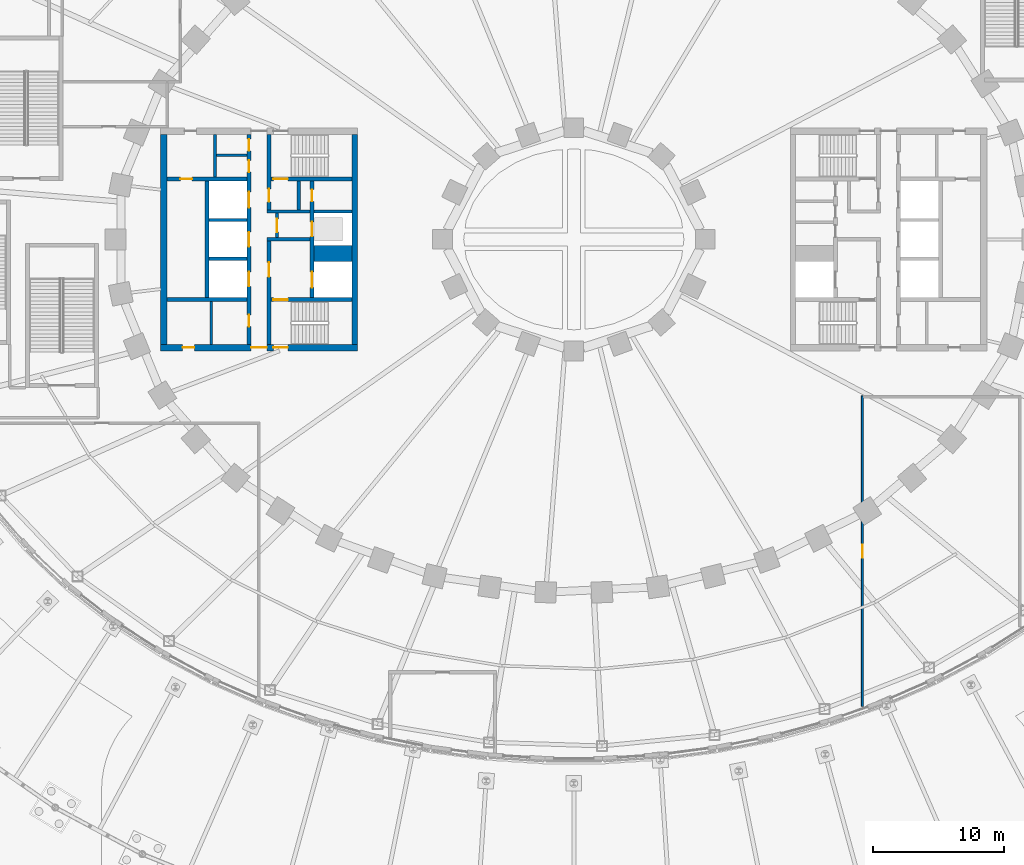
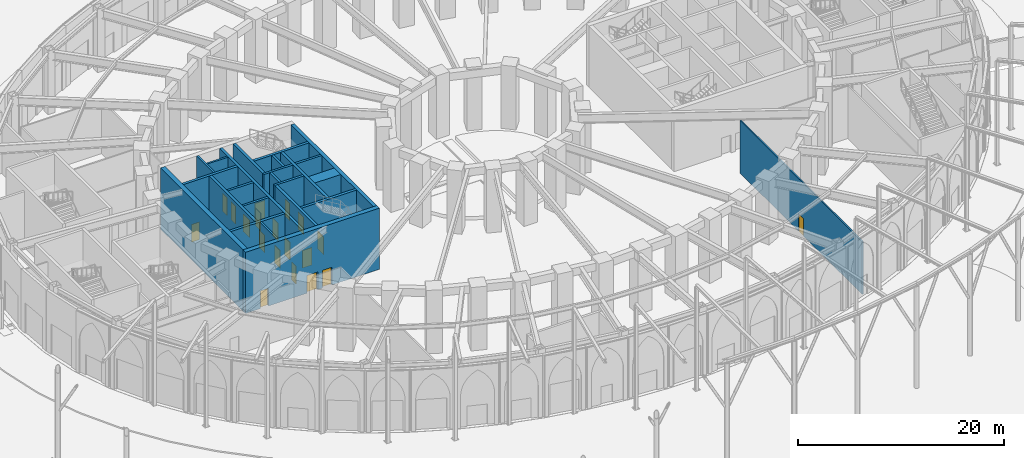
# One storey, part 45 of 79: 24 walls, 19 doors, 19 openings.
"""IFC4 building model written with IfcOpenShell, lengths in metres."""

import ifcopenshell
import ifcopenshell.guid

model = None  # the IFC model being written
_history = None  # IfcOwnerHistory: only IFC2X3 demands one
_inside = {}  # id of a spatial element -> (the spatial element, [elements in it])
_under = {}  # id of a project, library or spatial element -> (it, [spatial elements below it])
_declared = {}  # id of a project -> (the project, [libraries it declares])
_typed = {}  # id of a type object -> (the type object, [elements of that type])
_made_of = {}  # id of a material, layer set ... -> (it, [elements and type objects made of it])


def new_model(schema):
    """Start an empty IFC model of exactly this schema.

    Asked for "IFC4X3", IfcOpenShell would pick the latest addendum, in which some entities
    have other attributes; the version numbers below select the first issue.
    IFC2X3 requires an IfcOwnerHistory on every rooted entity: one is made here for all.
    """
    global model, _history
    if schema == "IFC4X3":
        model = ifcopenshell.file(schema_version=(4, 3, 0, 0))
    else:
        model = ifcopenshell.file(schema=schema)
    _inside.clear()
    _under.clear()
    _declared.clear()
    _typed.clear()
    _made_of.clear()
    _history = None
    if model.schema == "IFC2X3":
        org = make("IfcOrganization", Name="unknown")
        user = make(
            "IfcPersonAndOrganization",
            ThePerson=make("IfcPerson", FamilyName="unknown"),
            TheOrganization=org,
        )
        app = make(
            "IfcApplication",
            ApplicationDeveloper=org,
            Version="unknown",
            ApplicationFullName="unknown",
            ApplicationIdentifier="unknown",
        )
        _history = make(
            "IfcOwnerHistory",
            OwningUser=user,
            OwningApplication=app,
            ChangeAction="ADDED",
            CreationDate=0,
        )
    return model


def make(cls, **values):
    """One entity of the class cls with the attributes given. An attribute that is None is left unset."""
    return model.create_entity(
        cls, **{name: value for name, value in values.items() if value is not None}
    )


def rooted(cls, **values):
    """An entity with a GlobalId (a new one), such as an element, a storey or a relation."""
    return make(cls, GlobalId=ifcopenshell.guid.new(), OwnerHistory=_history, **values)


def si_unit(unit_type, name, prefix=None):
    """IfcSIUnit, for example si_unit("LENGTHUNIT", "METRE", prefix="MILLI")."""
    return make("IfcSIUnit", UnitType=unit_type, Prefix=prefix, Name=name)


def assignment(units):
    """IfcUnitAssignment: the units of a project."""
    return None if units is None else make("IfcUnitAssignment", Units=units)


def point(xyz):
    """IfcCartesianPoint."""
    return None if xyz is None else make("IfcCartesianPoint", Coordinates=xyz)


def direction(xyz):
    """IfcDirection."""
    return None if xyz is None else make("IfcDirection", DirectionRatios=xyz)


def frame(location, z_axis=None, x_axis=None):
    """IfcAxis2Placement3D, a coordinate frame: its origin and axes. An axis left out is left unset."""
    return make(
        "IfcAxis2Placement3D",
        Location=point(location),
        Axis=direction(z_axis),
        RefDirection=direction(x_axis),
    )


def frame_2d(location, x_axis=None):
    """IfcAxis2Placement2D, a coordinate frame in the plane: its origin and x axis."""
    return make(
        "IfcAxis2Placement2D", Location=point(location), RefDirection=direction(x_axis)
    )


def origin():
    """The frame at (0, 0, 0) with its axes left unset."""
    return frame((0.0, 0.0, 0.0))


def place(relative_to, where):
    """IfcLocalPlacement: puts the frame where relative to a parent placement (None: the world)."""
    return make(
        "IfcLocalPlacement", PlacementRelTo=relative_to, RelativePlacement=where
    )


def context(
    kind, dimensions, precision=None, world=None, true_north=None, identifier=None
):
    """IfcGeometricRepresentationContext, for example the 3D "Model" context."""
    return make(
        "IfcGeometricRepresentationContext",
        ContextIdentifier=identifier,
        ContextType=kind,
        CoordinateSpaceDimension=dimensions,
        Precision=precision,
        WorldCoordinateSystem=world,
        TrueNorth=true_north,
    )


def subcontext(parent, identifier, kind, view, scale=None):
    """IfcGeometricRepresentationSubContext, for example "Body" below "Model"."""
    return make(
        "IfcGeometricRepresentationSubContext",
        ContextIdentifier=identifier,
        ContextType=kind,
        ParentContext=parent,
        TargetScale=scale,
        TargetView=view,
    )


def project(units=None, contexts=None):
    """IfcProject with its units and contexts."""
    return rooted(
        "IfcProject",
        Name="project",
        RepresentationContexts=contexts,
        UnitsInContext=assignment(units),
    )


def spatial(cls, under=None, at=None, **own):
    """A site, building, storey or space (cls), placed at a placement, below another one or the project."""
    s = rooted(cls, ObjectPlacement=at, **own)
    if under is not None:
        _under.setdefault(under.id(), (under, []))[1].append(s)
    return s


def profile(cls, at=None, kind="AREA", **sizes):
    """A parametric profile (cls). Its sizes go by their IFC names, for example OverallWidth=200.0."""
    return make(cls, ProfileType=kind, Position=at, **sizes)


def rectangle(**sizes):
    """IfcRectangleProfileDef."""
    return profile("IfcRectangleProfileDef", **sizes)


def extrude(swept, where, along, depth):
    """IfcExtrudedAreaSolid: the profile swept, set in the frame where, extruded along a direction by depth."""
    return make(
        "IfcExtrudedAreaSolid",
        SweptArea=swept,
        Position=where,
        ExtrudedDirection=direction(along),
        Depth=depth,
    )


def shape(context_of_items, identifier, shape_type, items):
    """IfcShapeRepresentation: the items that make up one representation, for example the "Body"."""
    return make(
        "IfcShapeRepresentation",
        ContextOfItems=context_of_items,
        RepresentationIdentifier=identifier,
        RepresentationType=shape_type,
        Items=items,
    )


def material(Name=None, Category=None):
    """IfcMaterial."""
    return make("IfcMaterial", Name=Name, Category=Category)


def layer(
    of_material, thickness, ventilated=None, Name=None, Category=None, Priority=None
):
    """IfcMaterialLayer: one layer of a wall or slab, of a material (None: an air gap)."""
    return make(
        "IfcMaterialLayer",
        Material=of_material,
        LayerThickness=thickness,
        IsVentilated=ventilated,
        Name=Name,
        Category=Category,
        Priority=Priority,
    )


def layer_set(layers, Name=None):
    """IfcMaterialLayerSet."""
    return make("IfcMaterialLayerSet", MaterialLayers=layers, LayerSetName=Name)


def made_of(thing, what):
    """Note that an element or type object is made of a material, layer set ...; save() writes the relation."""
    if what is not None:
        _made_of.setdefault(what.id(), (what, []))[1].append(thing)
    return thing


def type_object(cls, material=None, **own):
    """A type object (cls), such as IfcWallType, which elements share."""
    return made_of(rooted(cls, **own), material)


def element(
    cls,
    number,
    at=None,
    inside=None,
    cuts=None,
    type_object=None,
    material=None,
    context=None,
    identifier="Body",
    shape_type=None,
    held_by="IfcProductDefinitionShape",
    body=None,
    shapes=None,
    **own,
):
    """One element of the class cls, such as IfcWall. Its Tag is "e" and its number.

    at: its placement. inside: the storey or other place that contains it. cuts: it is an
    opening in that element (IfcRelVoidsElement). A single representation is given by context,
    identifier, shape_type and body (its items); several are given by shapes. held_by: the class
    of the entity that holds the representations. save() writes the other relations.
    """
    e = rooted(cls, Tag="e%d" % number, ObjectPlacement=at, **own)
    if body is not None:
        shapes = [shape(context, identifier, shape_type, body)]
    if shapes is not None:
        e.Representation = make(held_by, Representations=shapes)
    if inside is not None:
        _inside.setdefault(inside.id(), (inside, []))[1].append(e)
    if cuts is not None:
        rooted(
            "IfcRelVoidsElement", RelatingBuildingElement=cuts, RelatedOpeningElement=e
        )
    if type_object is not None:
        _typed.setdefault(type_object.id(), (type_object, []))[1].append(e)
    return made_of(e, material)


def fill(opening, filler):
    """IfcRelFillsElement: the door or window that sits in an opening."""
    return rooted(
        "IfcRelFillsElement",
        RelatingOpeningElement=opening,
        RelatedBuildingElement=filler,
    )


def aggregate(whole, parts):
    """IfcRelAggregates: a whole, such as a stair, and the parts it consists of."""
    return rooted("IfcRelAggregates", RelatingObject=whole, RelatedObjects=parts)


def save(model, path):
    """Write the relations noted so far, then the file.

    IfcRelAggregates (storeys below a building ...), IfcRelContainedInSpatialStructure (elements
    in a storey), IfcRelDefinesByType, IfcRelAssociatesMaterial and IfcRelDeclares: one each for
    every whole, place, type object, material and project.
    """
    for whole, parts in _under.values():
        aggregate(whole, parts)
    for where, things in _inside.values():
        rooted(
            "IfcRelContainedInSpatialStructure",
            RelatedElements=things,
            RelatingStructure=where,
        )
    for kind, things in _typed.values():
        rooted("IfcRelDefinesByType", RelatedObjects=things, RelatingType=kind)
    for what, things in _made_of.values():
        rooted("IfcRelAssociatesMaterial", RelatedObjects=things, RelatingMaterial=what)
    for by, libraries in _declared.values():
        rooted("IfcRelDeclares", RelatingContext=by, RelatedDefinitions=libraries)
    model.write(path)


model = new_model("IFC4")

# Units and contexts
model_context = context("Model", 3, precision=1e-05, world=origin(), true_north=direction((0.0, 1.0)))
body_context = subcontext(model_context, "Body", "Model", "MODEL_VIEW")
ifc_project = project(units=[si_unit("LENGTHUNIT", "METRE"), si_unit("AREAUNIT", "SQUARE_METRE"), si_unit("VOLUMEUNIT", "CUBIC_METRE"), si_unit("PLANEANGLEUNIT", "RADIAN"), si_unit("MASSUNIT", "GRAM", prefix="KILO")], contexts=[model_context])

# Site, building, storey
site_placement = place(None, origin())
site = spatial("IfcSite", under=ifc_project, at=site_placement, CompositionType="ELEMENT")
building_placement = place(site_placement, origin())
building = spatial("IfcBuilding", under=site, at=building_placement, Name="Noorbagh Ring Tower", CompositionType="ELEMENT")
storey_placement = place(building_placement, origin())
storey = spatial("IfcBuildingStorey", under=building, at=storey_placement, Name="L00", CompositionType="ELEMENT", Elevation=0.0)

# Walls
ifc_material_1 = material(Name="Gypsum board on steel studs", Category="steel")
ifc_layer_1 = layer(ifc_material_1, 0.199951171875)
ifc_layer_set_1 = layer_set([ifc_layer_1], Name="Gypsum board on steel studs")
wall_type_1 = type_object("IfcWallType", Name="CORE-PARTITION-200", PredefinedType="PARTITIONING", material=ifc_layer_set_1)
for number, where, z_axis, x_axis, name in (
    (1, (-27.35009765625, 4.75, 0.0), (0.0, 0.0, 1.0), (0.0, 1.0, 0.0), "Core partition W"),
    (2, (-27.64990234375, -8.0, 0.0), (0.0, 0.0, 1.0), (0.0, 1.0, 0.0), "Core partition W"),
):
    element("IfcWall", number, at=place(storey_placement, frame(where, z_axis=z_axis, x_axis=x_axis)), inside=storey, type_object=wall_type_1, Name=name, PredefinedType="PARTITIONING", context=body_context, shape_type="SweptSolid", body=[
        extrude(rectangle(XDim=3.25, YDim=0.199951171875, at=frame_2d((1.625, 0.0))), origin(), (0.0, 0.0, 1.0), 7.25),
    ])
wall_1_placement = place(storey_placement, frame((-24.89990234375, 6.39990234375, 0.0), z_axis=(0.0, 0.0, 1.0), x_axis=(-1.0, 0.0, 0.0)))
element("IfcWall", 3, at=wall_1_placement, inside=storey, type_object=wall_type_1, Name="Core partition W", PredefinedType="PARTITIONING", context=body_context, shape_type="SweptSolid", body=[
    extrude(rectangle(XDim=2.35009765625, YDim=0.199951171875, at=frame_2d((1.175048828125, 0.0))), origin(), (0.0, 0.0, 1.0), 7.25),
])
ifc_material_2 = material(Name="Concrete C70/85", Category="concrete")
ifc_layer_2 = layer(ifc_material_2, 1.25)
ifc_layer_set_2 = layer_set([ifc_layer_2], Name="Concrete C70/85")
wall_type_2 = type_object("IfcWallType", Name="CORE-WALL-1250-C70-85-EI120", PredefinedType="SHEAR", material=ifc_layer_set_2)
wall_2_placement = place(storey_placement, frame((-16.89990234375, -1.074951171875, 0.0), z_axis=(0.0, 0.0, 1.0), x_axis=(-1.0, 0.0, 0.0)))
element("IfcWall", 4, at=wall_2_placement, inside=storey, type_object=wall_type_2, Name="Core wall W", PredefinedType="SHEAR", context=body_context, shape_type="SweptSolid", body=[
    extrude(rectangle(XDim=2.900146484375, YDim=1.25, at=frame_2d((1.4501953125, 0.0))), origin(), (0.0, 0.0, 1.0), 7.25),
])
ifc_material_3 = material(Name="Concrete C70/85", Category="concrete")
ifc_layer_3 = layer(ifc_material_3, 0.25)
ifc_layer_set_3 = layer_set([ifc_layer_3], Name="Concrete C70/85")
wall_type_3 = type_object("IfcWallType", Name="CORE-WALL-250-C70-85-EI120", PredefinedType="SHEAR", material=ifc_layer_set_3)
for number, where, z_axis, x_axis, name in (
    (5, (-16.89990234375, 2.125, 0.0), (0.0, 0.0, 1.0), (-1.0, 0.0, 0.0), "Core wall W"),
    (6, (-24.89990234375, -1.47509765625, 0.0), (0.0, 0.0, 1.0), (-1.0, 0.0, 0.0), "Core wall W"),
    (7, (-24.89990234375, 1.47509765625, 0.0), (0.0, 0.0, 1.0), (-1.0, 0.0, 0.0), "Core wall W"),
):
    element("IfcWall", number, at=place(storey_placement, frame(where, z_axis=z_axis, x_axis=x_axis)), inside=storey, type_object=wall_type_3, Name=name, PredefinedType="SHEAR", context=body_context, shape_type="SweptSolid", body=[
        extrude(rectangle(XDim=2.900146484375, YDim=0.25, at=frame_2d((1.4501953125, 0.0))), origin(), (0.0, 0.0, 1.0), 7.25),
    ])
ifc_material_4 = material(Name="Concrete C70/85", Category="concrete")
ifc_layer_4 = layer(ifc_material_4, 0.25)
ifc_layer_set_4 = layer_set([ifc_layer_4], Name="Concrete C70/85")
wall_type_4 = type_object("IfcWallType", Name="CORE-WALL-250-C70-85-EI240", PredefinedType="SHEAR", material=ifc_layer_set_4)
wall_3_placement = place(storey_placement, frame((-20.10009765625, 0.0, 0.0), z_axis=(0.0, 0.0, 1.0), x_axis=(-1.0, 0.0, 0.0)))
element("IfcWall", 8, at=wall_3_placement, inside=storey, type_object=wall_type_4, Name="Core wall W", PredefinedType="SHEAR", context=body_context, shape_type="SweptSolid", body=[
    extrude(rectangle(XDim=3.27978515625, YDim=0.25, at=frame_2d((1.639892578125, 0.0))), origin(), (0.0, 0.0, 1.0), 7.25),
])

# Wall, opening, door
wall_4_placement = place(storey_placement, frame((-22.625, 0.125, 0.0), z_axis=(0.0, 0.0, 1.0), x_axis=(0.0, 1.0, 0.0)))
wall_4 = element("IfcWall", 9, at=wall_4_placement, inside=storey, type_object=wall_type_4, Name="Core wall W", PredefinedType="SHEAR", context=body_context, shape_type="SweptSolid", body=[
    extrude(rectangle(XDim=1.875, YDim=0.25, at=frame_2d((0.9375, 0.0))), origin(), (0.0, 0.0, 1.0), 7.25),
])
opening_1_placement = place(wall_4_placement, frame((0.43505859375, 0.0, 0.0)))
opening_1 = element("IfcOpeningElement", 10, at=opening_1_placement, cuts=wall_4, Name="Opening L00-CW10", PredefinedType="OPENING", context=body_context, shape_type="SweptSolid", body=[
    extrude(rectangle(XDim=1.0, YDim=2.10009765625, at=frame_2d((0.5, 1.050048828125))), frame((0.0, 0.135009765625, 0.0), z_axis=(0.0, -1.0, 0.0), x_axis=(1.0, 0.0, 0.0)), (0.0, 0.0, 1.0), 0.27001953125),
])
ifc_material_5 = material(Name="Steel door leaf", Category="steel")
door_type_1 = type_object("IfcDoorType", Name="CORE-DOOR-DVEST", OperationType="SINGLE_SWING_LEFT", PredefinedType="DOOR", material=ifc_material_5)
door_1_placement = place(opening_1_placement, origin())
door_1 = element("IfcDoor", 11, at=door_1_placement, inside=storey, type_object=door_type_1, Name="Observation lift lobby door L00-CW10", OperationType="SINGLE_SWING_LEFT", OverallHeight=2.10009765625, OverallWidth=1.0, PredefinedType="DOOR", context=body_context, shape_type="SweptSolid", body=[
    extrude(rectangle(XDim=1.0, YDim=2.10009765625, at=frame_2d((0.5, 1.050048828125))), frame((0.0, 0.02490234375, 0.0), z_axis=(0.0, -1.0, 0.0), x_axis=(1.0, 0.0, 0.0)), (0.0, 0.0, 1.0), 0.050048828125),
])
fill(opening_1, door_1)

# Walls
wall_5_placement = place(storey_placement, frame((-20.10009765625, 2.125, 0.0), z_axis=(0.0, 0.0, 1.0), x_axis=(-1.0, 0.0, 0.0)))
element("IfcWall", 12, at=wall_5_placement, inside=storey, type_object=wall_type_4, Name="Core wall W", PredefinedType="SHEAR", context=body_context, shape_type="SweptSolid", body=[
    extrude(rectangle(XDim=3.27978515625, YDim=0.25, at=frame_2d((1.639892578125, 0.0))), origin(), (0.0, 0.0, 1.0), 7.25),
])
wall_6_placement = place(storey_placement, frame((-20.97509765625, 2.25, 0.0), z_axis=(0.0, 0.0, 1.0), x_axis=(0.0, 1.0, 0.0)))
element("IfcWall", 13, at=wall_6_placement, inside=storey, type_object=wall_type_4, Name="Core wall W", PredefinedType="SHEAR", context=body_context, shape_type="SweptSolid", body=[
    extrude(rectangle(XDim=2.199951171875, YDim=0.25, at=frame_2d((1.10009765625, 0.0))), origin(), (0.0, 0.0, 1.0), 7.25),
])
ifc_material_6 = material(Name="Concrete C70/85", Category="concrete")
ifc_layer_5 = layer(ifc_material_6, 0.300048828125)
ifc_layer_set_5 = layer_set([ifc_layer_5], Name="Concrete C70/85")
wall_type_5 = type_object("IfcWallType", Name="CORE-WALL-300-C70-85-EI120", PredefinedType="SHEAR", material=ifc_layer_set_5)
wall_7_placement = place(storey_placement, frame((-27.949951171875, -4.449951171875, 0.0), z_axis=(0.0, 0.0, 1.0), x_axis=(0.0, 1.0, 0.0)))
element("IfcWall", 14, at=wall_7_placement, inside=storey, type_object=wall_type_5, Name="Core wall W", PredefinedType="SHEAR", context=body_context, shape_type="SweptSolid", body=[
    extrude(rectangle(XDim=8.89990234375, YDim=0.300048828125, at=frame_2d((4.449951171875, 0.0))), origin(), (0.0, 0.0, 1.0), 7.25),
])

# Wall, openings, doors
wall_8_placement = place(storey_placement, frame((-19.949951171875, -4.449951171875, 0.0), z_axis=(0.0, 0.0, 1.0), x_axis=(0.0, 1.0, 0.0)))
wall_8 = element("IfcWall", 15, at=wall_8_placement, inside=storey, type_object=wall_type_5, Name="Core wall W", PredefinedType="SHEAR", context=body_context, shape_type="SweptSolid", body=[
    extrude(rectangle(XDim=8.89990234375, YDim=0.300048828125, at=frame_2d((4.449951171875, 0.0))), origin(), (0.0, 0.0, 1.0), 7.25),
])
opening_2_placement = place(wall_8_placement, frame((0.77490234375, 0.0, 0.0)))
opening_2 = element("IfcOpeningElement", 16, at=opening_2_placement, cuts=wall_8, Name="Opening L00-CW01", PredefinedType="OPENING", context=body_context, shape_type="SweptSolid", body=[
    extrude(rectangle(XDim=1.199951171875, YDim=2.10009765625, at=frame_2d((0.60009765625, 1.050048828125))), frame((0.0, 0.16015625, 0.0), z_axis=(0.0, -1.0, 0.0), x_axis=(1.0, 0.0, 0.0)), (0.0, 0.0, 1.0), 0.320068359375),
])
opening_3_placement = place(wall_8_placement, frame((4.675048828125, 0.0, 0.0)))
opening_3 = element("IfcOpeningElement", 17, at=opening_3_placement, cuts=wall_8, Name="Opening L00-CW02", PredefinedType="OPENING", context=body_context, shape_type="SweptSolid", body=[
    extrude(rectangle(XDim=1.10009765625, YDim=2.10009765625, at=frame_2d((0.550048828125, 1.050048828125))), frame((0.0, 0.16015625, 0.0), z_axis=(0.0, -1.0, 0.0), x_axis=(1.0, 0.0, 0.0)), (0.0, 0.0, 1.0), 0.320068359375),
])
opening_4_placement = place(wall_8_placement, frame((7.35009765625, 0.0, 0.0)))
opening_4 = element("IfcOpeningElement", 18, at=opening_4_placement, cuts=wall_8, Name="Opening L00-CW15", PredefinedType="OPENING", context=body_context, shape_type="SweptSolid", body=[
    extrude(rectangle(XDim=0.89990234375, YDim=2.10009765625, at=frame_2d((0.449951171875, 1.050048828125))), frame((0.0, 0.16015625, 0.0), z_axis=(0.0, -1.0, 0.0), x_axis=(1.0, 0.0, 0.0)), (0.0, 0.0, 1.0), 0.320068359375),
])
ifc_material_7 = material(Name="Steel door leaf", Category="steel")
door_type_2 = type_object("IfcDoorType", Name="CORE-DOOR-DROOM", OperationType="SINGLE_SWING_LEFT", PredefinedType="DOOR", material=ifc_material_7)
door_2_placement = place(opening_4_placement, origin())
door_2 = element("IfcDoor", 19, at=door_2_placement, inside=storey, type_object=door_type_2, Name="Core room door L00-CW15", OperationType="SINGLE_SWING_LEFT", OverallHeight=2.10009765625, OverallWidth=0.89990234375, PredefinedType="DOOR", context=body_context, shape_type="SweptSolid", body=[
    extrude(rectangle(XDim=0.89990234375, YDim=2.10009765625, at=frame_2d((0.449951171875, 1.050048828125))), frame((0.0, 0.02490234375, 0.0), z_axis=(0.0, -1.0, 0.0), x_axis=(1.0, 0.0, 0.0)), (0.0, 0.0, 1.0), 0.050048828125),
])
fill(opening_4, door_2)
ifc_material_8 = material(Name="Steel door leaf", Category="steel")
door_type_3 = type_object("IfcDoorType", Name="CORE-DOOR-LD", OperationType="DOUBLE_DOOR_SLIDING", PredefinedType="DOOR", material=ifc_material_8)
door_3_placement = place(opening_3_placement, origin())
door_3 = element("IfcDoor", 20, at=door_3_placement, inside=storey, type_object=door_type_3, Name="Landing door OB1 L00-CW02", OperationType="DOUBLE_DOOR_SLIDING", OverallHeight=2.10009765625, OverallWidth=1.10009765625, PredefinedType="DOOR", context=body_context, shape_type="SweptSolid", body=[
    extrude(rectangle(XDim=1.10009765625, YDim=2.10009765625, at=frame_2d((0.550048828125, 1.050048828125))), frame((0.0, 0.02490234375, 0.0), z_axis=(0.0, -1.0, 0.0), x_axis=(1.0, 0.0, 0.0)), (0.0, 0.0, 1.0), 0.050048828125),
])
fill(opening_3, door_3)
ifc_material_9 = material(Name="Steel door leaf", Category="steel")
door_type_4 = type_object("IfcDoorType", Name="CORE-DOOR-LDW", OperationType="DOUBLE_DOOR_SLIDING", PredefinedType="DOOR", material=ifc_material_9)
door_4_placement = place(opening_2_placement, origin())
door_4 = element("IfcDoor", 21, at=door_4_placement, inside=storey, type_object=door_type_4, Name="Landing door FF1 L00-CW01", OperationType="DOUBLE_DOOR_SLIDING", OverallHeight=2.10009765625, OverallWidth=1.199951171875, PredefinedType="DOOR", context=body_context, shape_type="SweptSolid", body=[
    extrude(rectangle(XDim=1.199951171875, YDim=2.10009765625, at=frame_2d((0.60009765625, 1.050048828125))), frame((0.0, 0.02490234375, 0.0), z_axis=(0.0, -1.0, 0.0), x_axis=(1.0, 0.0, 0.0)), (0.0, 0.0, 1.0), 0.050048828125),
])
fill(opening_2, door_4)

wall_9_placement = place(storey_placement, frame((-24.75, -8.0, 0.0), z_axis=(0.0, 0.0, 1.0), x_axis=(0.0, 1.0, 0.0)))
wall_9 = element("IfcWall", 22, at=wall_9_placement, inside=storey, type_object=wall_type_5, Name="Core wall W", PredefinedType="SHEAR", context=body_context, shape_type="SweptSolid", body=[
    extrude(rectangle(XDim=16.0, YDim=0.300048828125, at=frame_2d((8.0, 0.0))), origin(), (0.0, 0.0, 1.0), 7.25),
])
opening_5_placement = place(wall_9_placement, frame((4.425048828125, 0.0, 0.0)))
opening_5 = element("IfcOpeningElement", 23, at=opening_5_placement, cuts=wall_9, Name="Opening L00-CW03", PredefinedType="OPENING", context=body_context, shape_type="SweptSolid", body=[
    extrude(rectangle(XDim=1.10009765625, YDim=2.10009765625, at=frame_2d((0.550048828125, 1.050048828125))), frame((0.0, 0.16015625, 0.0), z_axis=(0.0, -1.0, 0.0), x_axis=(1.0, 0.0, 0.0)), (0.0, 0.0, 1.0), 0.320068359375),
])
opening_6_placement = place(wall_9_placement, frame((7.449951171875, 0.0, 0.0)))
opening_6 = element("IfcOpeningElement", 24, at=opening_6_placement, cuts=wall_9, Name="Opening L00-CW04", PredefinedType="OPENING", context=body_context, shape_type="SweptSolid", body=[
    extrude(rectangle(XDim=1.10009765625, YDim=2.10009765625, at=frame_2d((0.550048828125, 1.050048828125))), frame((0.0, 0.16015625, 0.0), z_axis=(0.0, -1.0, 0.0), x_axis=(1.0, 0.0, 0.0)), (0.0, 0.0, 1.0), 0.320068359375),
])
opening_7_placement = place(wall_9_placement, frame((10.425048828125, 0.0, 0.0)))
opening_7 = element("IfcOpeningElement", 25, at=opening_7_placement, cuts=wall_9, Name="Opening L00-CW05", PredefinedType="OPENING", context=body_context, shape_type="SweptSolid", body=[
    extrude(rectangle(XDim=1.199951171875, YDim=2.10009765625, at=frame_2d((0.60009765625, 1.050048828125))), frame((0.0, 0.16015625, 0.0), z_axis=(0.0, -1.0, 0.0), x_axis=(1.0, 0.0, 0.0)), (0.0, 0.0, 1.0), 0.320068359375),
])
opening_8_placement = place(wall_9_placement, frame((13.125, 0.0, 0.0)))
opening_8 = element("IfcOpeningElement", 26, at=opening_8_placement, cuts=wall_9, Name="Opening L00-CW16", PredefinedType="OPENING", context=body_context, shape_type="SweptSolid", body=[
    extrude(rectangle(XDim=0.89990234375, YDim=2.10009765625, at=frame_2d((0.449951171875, 1.050048828125))), frame((0.0, 0.16015625, 0.0), z_axis=(0.0, -1.0, 0.0), x_axis=(1.0, 0.0, 0.0)), (0.0, 0.0, 1.0), 0.320068359375),
])
opening_9_placement = place(wall_9_placement, frame((14.75, 0.0, 0.0)))
opening_9 = element("IfcOpeningElement", 27, at=opening_9_placement, cuts=wall_9, Name="Opening L00-CW17", PredefinedType="OPENING", context=body_context, shape_type="SweptSolid", body=[
    extrude(rectangle(XDim=0.89990234375, YDim=2.10009765625, at=frame_2d((0.449951171875, 1.050048828125))), frame((0.0, 0.16015625, 0.0), z_axis=(0.0, -1.0, 0.0), x_axis=(1.0, 0.0, 0.0)), (0.0, 0.0, 1.0), 0.320068359375),
])
opening_10_placement = place(wall_9_placement, frame((1.35009765625, 0.0, 0.0)))
opening_10 = element("IfcOpeningElement", 28, at=opening_10_placement, cuts=wall_9, Name="Opening L00-CW19", PredefinedType="OPENING", context=body_context, shape_type="SweptSolid", body=[
    extrude(rectangle(XDim=0.89990234375, YDim=2.10009765625, at=frame_2d((0.449951171875, 1.050048828125))), frame((0.0, 0.16015625, 0.0), z_axis=(0.0, -1.0, 0.0), x_axis=(1.0, 0.0, 0.0)), (0.0, 0.0, 1.0), 0.320068359375),
])
door_5_placement = place(opening_8_placement, origin())
door_5 = element("IfcDoor", 29, at=door_5_placement, inside=storey, type_object=door_type_2, Name="Core room door L00-CW16", OperationType="SINGLE_SWING_LEFT", OverallHeight=2.10009765625, OverallWidth=0.89990234375, PredefinedType="DOOR", context=body_context, shape_type="SweptSolid", body=[
    extrude(rectangle(XDim=0.89990234375, YDim=2.10009765625, at=frame_2d((0.449951171875, 1.050048828125))), frame((0.0, 0.02490234375, 0.0), z_axis=(0.0, -1.0, 0.0), x_axis=(1.0, 0.0, 0.0)), (0.0, 0.0, 1.0), 0.050048828125),
])
fill(opening_8, door_5)
door_6_placement = place(opening_9_placement, origin())
door_6 = element("IfcDoor", 30, at=door_6_placement, inside=storey, type_object=door_type_2, Name="Core room door L00-CW17", OperationType="SINGLE_SWING_RIGHT", OverallHeight=2.10009765625, OverallWidth=0.89990234375, PredefinedType="DOOR", context=body_context, shape_type="SweptSolid", body=[
    extrude(rectangle(XDim=0.89990234375, YDim=2.10009765625, at=frame_2d((0.449951171875, 1.050048828125))), frame((0.0, 0.02490234375, 0.0), z_axis=(0.0, -1.0, 0.0), x_axis=(1.0, 0.0, 0.0)), (0.0, 0.0, 1.0), 0.050048828125),
])
fill(opening_9, door_6)
door_7_placement = place(opening_10_placement, origin())
door_7 = element("IfcDoor", 31, at=door_7_placement, inside=storey, type_object=door_type_2, Name="Core room door L00-CW19", OperationType="SINGLE_SWING_LEFT", OverallHeight=2.10009765625, OverallWidth=0.89990234375, PredefinedType="DOOR", context=body_context, shape_type="SweptSolid", body=[
    extrude(rectangle(XDim=0.89990234375, YDim=2.10009765625, at=frame_2d((0.449951171875, 1.050048828125))), frame((0.0, 0.02490234375, 0.0), z_axis=(0.0, -1.0, 0.0), x_axis=(1.0, 0.0, 0.0)), (0.0, 0.0, 1.0), 0.050048828125),
])
fill(opening_10, door_7)
door_8_placement = place(opening_5_placement, origin())
door_8 = element("IfcDoor", 32, at=door_8_placement, inside=storey, type_object=door_type_3, Name="Landing door LR1 L00-CW03", OperationType="DOUBLE_DOOR_SLIDING", OverallHeight=2.10009765625, OverallWidth=1.10009765625, PredefinedType="DOOR", context=body_context, shape_type="SweptSolid", body=[
    extrude(rectangle(XDim=1.10009765625, YDim=2.10009765625, at=frame_2d((0.550048828125, 1.050048828125))), frame((0.0, 0.02490234375, 0.0), z_axis=(0.0, -1.0, 0.0), x_axis=(1.0, 0.0, 0.0)), (0.0, 0.0, 1.0), 0.050048828125),
])
fill(opening_5, door_8)
door_9_placement = place(opening_6_placement, origin())
door_9 = element("IfcDoor", 33, at=door_9_placement, inside=storey, type_object=door_type_3, Name="Landing door LR2 L00-CW04", OperationType="DOUBLE_DOOR_SLIDING", OverallHeight=2.10009765625, OverallWidth=1.10009765625, PredefinedType="DOOR", context=body_context, shape_type="SweptSolid", body=[
    extrude(rectangle(XDim=1.10009765625, YDim=2.10009765625, at=frame_2d((0.550048828125, 1.050048828125))), frame((0.0, 0.02490234375, 0.0), z_axis=(0.0, -1.0, 0.0), x_axis=(1.0, 0.0, 0.0)), (0.0, 0.0, 1.0), 0.050048828125),
])
fill(opening_6, door_9)
door_10_placement = place(opening_7_placement, origin())
door_10 = element("IfcDoor", 34, at=door_10_placement, inside=storey, type_object=door_type_4, Name="Landing door SV1 L00-CW05", OperationType="DOUBLE_DOOR_SLIDING", OverallHeight=2.10009765625, OverallWidth=1.199951171875, PredefinedType="DOOR", context=body_context, shape_type="SweptSolid", body=[
    extrude(rectangle(XDim=1.199951171875, YDim=2.10009765625, at=frame_2d((0.60009765625, 1.050048828125))), frame((0.0, 0.02490234375, 0.0), z_axis=(0.0, -1.0, 0.0), x_axis=(1.0, 0.0, 0.0)), (0.0, 0.0, 1.0), 0.050048828125),
])
fill(opening_7, door_10)

# Wall, opening, door
ifc_material_10 = material(Name="Concrete C70/85", Category="concrete")
ifc_layer_6 = layer(ifc_material_10, 0.300048828125)
ifc_layer_set_6 = layer_set([ifc_layer_6], Name="Concrete C70/85")
wall_type_6 = type_object("IfcWallType", Name="CORE-WALL-300-C70-85-EI240", PredefinedType="SHEAR", material=ifc_layer_set_6)
wall_10_placement = place(storey_placement, frame((-24.89990234375, 4.60009765625, 0.0), z_axis=(0.0, 0.0, 1.0), x_axis=(-1.0, 0.0, 0.0)))
wall_10 = element("IfcWall", 35, at=wall_10_placement, inside=storey, type_object=wall_type_6, Name="Core wall W", PredefinedType="SHEAR", context=body_context, shape_type="SweptSolid", body=[
    extrude(rectangle(XDim=6.10009765625, YDim=0.300048828125, at=frame_2d((3.050048828125, 0.0))), origin(), (0.0, 0.0, 1.0), 7.25),
])
opening_11_placement = place(wall_10_placement, frame((4.199951171875, 0.0, 0.0)))
opening_11 = element("IfcOpeningElement", 36, at=opening_11_placement, cuts=wall_10, Name="Opening L00-CW21", PredefinedType="OPENING", context=body_context, shape_type="SweptSolid", body=[
    extrude(rectangle(XDim=0.89990234375, YDim=2.10009765625, at=frame_2d((0.449951171875, 1.050048828125))), frame((0.0, 0.16015625, 0.0), z_axis=(0.0, -1.0, 0.0), x_axis=(1.0, 0.0, 0.0)), (0.0, 0.0, 1.0), 0.320068359375),
])
door_11_placement = place(opening_11_placement, origin())
door_11 = element("IfcDoor", 37, at=door_11_placement, inside=storey, type_object=door_type_2, Name="Core room door L00-CW21", OperationType="SINGLE_SWING_LEFT", OverallHeight=2.10009765625, OverallWidth=0.89990234375, PredefinedType="DOOR", context=body_context, shape_type="SweptSolid", body=[
    extrude(rectangle(XDim=0.89990234375, YDim=2.10009765625, at=frame_2d((0.449951171875, 1.050048828125))), frame((0.0, 0.02490234375, 0.0), z_axis=(0.0, -1.0, 0.0), x_axis=(1.0, 0.0, 0.0)), (0.0, 0.0, 1.0), 0.050048828125),
])
fill(opening_11, door_11)

# Wall
wall_11_placement = place(storey_placement, frame((-24.89990234375, -4.60009765625, 0.0), z_axis=(0.0, 0.0, 1.0), x_axis=(-1.0, 0.0, 0.0)))
element("IfcWall", 38, at=wall_11_placement, inside=storey, type_object=wall_type_6, Name="Core wall W", PredefinedType="SHEAR", context=body_context, shape_type="SweptSolid", body=[
    extrude(rectangle(XDim=6.10009765625, YDim=0.300048828125, at=frame_2d((3.050048828125, 0.0))), origin(), (0.0, 0.0, 1.0), 7.25),
])

# Wall, opening, door
wall_12_placement = place(storey_placement, frame((-23.22998046875, 2.25, 0.0), z_axis=(0.0, 0.0, 1.0), x_axis=(0.0, 1.0, 0.0)))
wall_12 = element("IfcWall", 39, at=wall_12_placement, inside=storey, type_object=wall_type_6, Name="Core wall W", PredefinedType="SHEAR", context=body_context, shape_type="SweptSolid", body=[
    extrude(rectangle(XDim=5.75, YDim=0.300048828125, at=frame_2d((2.875, 0.0))), origin(), (0.0, 0.0, 1.0), 7.25),
])
opening_12_placement = place(wall_12_placement, frame((0.60009765625, 0.0, 0.0)))
opening_12 = element("IfcOpeningElement", 40, at=opening_12_placement, cuts=wall_12, Name="Opening L00-CW09", PredefinedType="OPENING", context=body_context, shape_type="SweptSolid", body=[
    extrude(rectangle(XDim=1.0, YDim=2.10009765625, at=frame_2d((0.5, 1.050048828125))), frame((0.0, 0.16015625, 0.0), z_axis=(0.0, -1.0, 0.0), x_axis=(1.0, 0.0, 0.0)), (0.0, 0.0, 1.0), 0.320068359375),
])
door_12_placement = place(opening_12_placement, origin())
door_12 = element("IfcDoor", 41, at=door_12_placement, inside=storey, type_object=door_type_1, Name="Stair vestibule door L00-CW09", OperationType="SINGLE_SWING_LEFT", OverallHeight=2.10009765625, OverallWidth=1.0, PredefinedType="DOOR", context=body_context, shape_type="SweptSolid", body=[
    extrude(rectangle(XDim=1.0, YDim=2.10009765625, at=frame_2d((0.5, 1.050048828125))), frame((0.0, 0.02490234375, 0.0), z_axis=(0.0, -1.0, 0.0), x_axis=(1.0, 0.0, 0.0)), (0.0, 0.0, 1.0), 0.050048828125),
])
fill(opening_12, door_12)

wall_13_placement = place(storey_placement, frame((-23.22998046875, -8.0, 0.0), z_axis=(0.0, 0.0, 1.0), x_axis=(0.0, 1.0, 0.0)))
wall_13 = element("IfcWall", 42, at=wall_13_placement, inside=storey, type_object=wall_type_6, Name="Core wall W", PredefinedType="SHEAR", context=body_context, shape_type="SweptSolid", body=[
    extrude(rectangle(XDim=7.875, YDim=0.300048828125, at=frame_2d((3.9375, 0.0))), origin(), (0.0, 0.0, 1.0), 7.25),
])
opening_13_placement = place(wall_13_placement, frame((5.14990234375, 0.0, 0.0)))
opening_13 = element("IfcOpeningElement", 43, at=opening_13_placement, cuts=wall_13, Name="Opening L00-CW08", PredefinedType="OPENING", context=body_context, shape_type="SweptSolid", body=[
    extrude(rectangle(XDim=1.10009765625, YDim=2.10009765625, at=frame_2d((0.550048828125, 1.050048828125))), frame((0.0, 0.16015625, 0.0), z_axis=(0.0, -1.0, 0.0), x_axis=(1.0, 0.0, 0.0)), (0.0, 0.0, 1.0), 0.320068359375),
])
ifc_material_11 = material(Name="Steel door leaf", Category="steel")
door_type_5 = type_object("IfcDoorType", Name="CORE-DOOR-DFF", OperationType="SINGLE_SWING_LEFT", PredefinedType="DOOR", material=ifc_material_11)
door_13_placement = place(opening_13_placement, origin())
door_13 = element("IfcDoor", 44, at=door_13_placement, inside=storey, type_object=door_type_5, Name="Firefighting lobby door L00-CW08", OperationType="SINGLE_SWING_LEFT", OverallHeight=2.10009765625, OverallWidth=1.10009765625, PredefinedType="DOOR", context=body_context, shape_type="SweptSolid", body=[
    extrude(rectangle(XDim=1.10009765625, YDim=2.10009765625, at=frame_2d((0.550048828125, 1.050048828125))), frame((0.0, 0.02490234375, 0.0), z_axis=(0.0, -1.0, 0.0), x_axis=(1.0, 0.0, 0.0)), (0.0, 0.0, 1.0), 0.050048828125),
])
fill(opening_13, door_13)

wall_14_placement = place(storey_placement, frame((-16.89990234375, 4.60009765625, 0.0), z_axis=(0.0, 0.0, 1.0), x_axis=(-1.0, 0.0, 0.0)))
wall_14 = element("IfcWall", 45, at=wall_14_placement, inside=storey, type_object=wall_type_6, Name="Core wall W", PredefinedType="SHEAR", context=body_context, shape_type="SweptSolid", body=[
    extrude(rectangle(XDim=6.18017578125, YDim=0.300048828125, at=frame_2d((3.090087890625, 0.0))), origin(), (0.0, 0.0, 1.0), 7.25),
])
opening_14_placement = place(wall_14_placement, frame((4.89990234375, 0.0, 0.0)))
opening_14 = element("IfcOpeningElement", 46, at=opening_14_placement, cuts=wall_14, Name="Opening L00-CW06", PredefinedType="OPENING", context=body_context, shape_type="SweptSolid", body=[
    extrude(rectangle(XDim=1.10009765625, YDim=2.10009765625, at=frame_2d((0.550048828125, 1.050048828125))), frame((0.0, 0.16015625, 0.0), z_axis=(0.0, -1.0, 0.0), x_axis=(1.0, 0.0, 0.0)), (0.0, 0.0, 1.0), 0.320068359375),
])
ifc_material_12 = material(Name="Steel door leaf", Category="steel")
door_type_6 = type_object("IfcDoorType", Name="CORE-DOOR-DSTAIR", OperationType="SINGLE_SWING_LEFT", PredefinedType="DOOR", material=ifc_material_12)
door_14_placement = place(opening_14_placement, origin())
door_14 = element("IfcDoor", 47, at=door_14_placement, inside=storey, type_object=door_type_6, Name="Stair door ST1 L00-CW06", OperationType="SINGLE_SWING_RIGHT", OverallHeight=2.10009765625, OverallWidth=1.10009765625, PredefinedType="DOOR", context=body_context, shape_type="SweptSolid", body=[
    extrude(rectangle(XDim=1.10009765625, YDim=2.10009765625, at=frame_2d((0.550048828125, 1.050048828125))), frame((0.0, 0.02490234375, 0.0), z_axis=(0.0, -1.0, 0.0), x_axis=(1.0, 0.0, 0.0)), (0.0, 0.0, 1.0), 0.050048828125),
])
fill(opening_14, door_14)

wall_15_placement = place(storey_placement, frame((-16.89990234375, -4.60009765625, 0.0), z_axis=(0.0, 0.0, 1.0), x_axis=(-1.0, 0.0, 0.0)))
wall_15 = element("IfcWall", 48, at=wall_15_placement, inside=storey, type_object=wall_type_6, Name="Core wall W", PredefinedType="SHEAR", context=body_context, shape_type="SweptSolid", body=[
    extrude(rectangle(XDim=6.18017578125, YDim=0.300048828125, at=frame_2d((3.090087890625, 0.0))), origin(), (0.0, 0.0, 1.0), 7.25),
])
opening_15_placement = place(wall_15_placement, frame((4.89990234375, 0.0, 0.0)))
opening_15 = element("IfcOpeningElement", 49, at=opening_15_placement, cuts=wall_15, Name="Opening L00-CW07", PredefinedType="OPENING", context=body_context, shape_type="SweptSolid", body=[
    extrude(rectangle(XDim=1.10009765625, YDim=2.10009765625, at=frame_2d((0.550048828125, 1.050048828125))), frame((0.0, 0.16015625, 0.0), z_axis=(0.0, -1.0, 0.0), x_axis=(1.0, 0.0, 0.0)), (0.0, 0.0, 1.0), 0.320068359375),
])
door_15_placement = place(opening_15_placement, origin())
door_15 = element("IfcDoor", 50, at=door_15_placement, inside=storey, type_object=door_type_6, Name="Stair door ST2 L00-CW07", OperationType="SINGLE_SWING_LEFT", OverallHeight=2.10009765625, OverallWidth=1.10009765625, PredefinedType="DOOR", context=body_context, shape_type="SweptSolid", body=[
    extrude(rectangle(XDim=1.10009765625, YDim=2.10009765625, at=frame_2d((0.550048828125, 1.050048828125))), frame((0.0, 0.02490234375, 0.0), z_axis=(0.0, -1.0, 0.0), x_axis=(1.0, 0.0, 0.0)), (0.0, 0.0, 1.0), 0.050048828125),
])
fill(opening_15, door_15)

# Wall
ifc_material_13 = material(Name="Concrete C70/85", Category="concrete")
ifc_layer_7 = layer(ifc_material_13, 0.39990234375)
ifc_layer_set_7 = layer_set([ifc_layer_7], Name="Concrete C70/85")
wall_type_7 = type_object("IfcWallType", Name="CORE-WALL-400-C70-85-EI240", PredefinedType="SHEAR", material=ifc_layer_set_7)
wall_16_placement = place(storey_placement, frame((-16.699951171875, -8.0, 0.0), z_axis=(0.0, 0.0, 1.0), x_axis=(0.0, 1.0, 0.0)))
element("IfcWall", 51, at=wall_16_placement, inside=storey, type_object=wall_type_7, Name="Core wall W", PredefinedType="SHEAR", context=body_context, shape_type="SweptSolid", body=[
    extrude(rectangle(XDim=16.0, YDim=0.39990234375, at=frame_2d((8.0, 0.0))), origin(), (0.0, 0.0, 1.0), 7.25),
])

# Wall, openings, doors
ifc_material_14 = material(Name="Concrete C70/85", Category="concrete")
ifc_layer_8 = layer(ifc_material_14, 0.5)
ifc_layer_set_8 = layer_set([ifc_layer_8], Name="Concrete C70/85")
wall_type_8 = type_object("IfcWallType", Name="CORE-WALL-500-C70-85-EI240", PredefinedType="SHEAR", material=ifc_layer_set_8)
wall_17_placement = place(storey_placement, frame((-16.5, -8.25, 0.0), z_axis=(0.0, 0.0, 1.0), x_axis=(-1.0, 0.0, 0.0)))
wall_17 = element("IfcWall", 52, at=wall_17_placement, inside=storey, type_object=wall_type_8, Name="Core wall W", PredefinedType="SHEAR", context=body_context, shape_type="SweptSolid", body=[
    extrude(rectangle(XDim=15.0, YDim=0.5, at=frame_2d((7.5, 0.0))), origin(), (0.0, 0.0, 1.0), 7.25),
])
opening_16_placement = place(wall_17_placement, frame((6.89990234375, 0.0, 0.0)))
opening_16 = element("IfcOpeningElement", 53, at=opening_16_placement, cuts=wall_17, Name="Opening L00-CW12", PredefinedType="OPENING", context=body_context, shape_type="SweptSolid", body=[
    extrude(rectangle(XDim=1.199951171875, YDim=2.10009765625, at=frame_2d((0.60009765625, 1.050048828125))), frame((0.0, 0.260009765625, 0.0), z_axis=(0.0, -1.0, 0.0), x_axis=(1.0, 0.0, 0.0)), (0.0, 0.0, 1.0), 0.52001953125),
])
opening_17_placement = place(wall_17_placement, frame((5.300048828125, 0.0, 0.0)))
opening_17 = element("IfcOpeningElement", 54, at=opening_17_placement, cuts=wall_17, Name="Opening L00-CW14", PredefinedType="OPENING", context=body_context, shape_type="SweptSolid", body=[
    extrude(rectangle(XDim=1.10009765625, YDim=2.10009765625, at=frame_2d((0.550048828125, 1.050048828125))), frame((0.0, 0.260009765625, 0.0), z_axis=(0.0, -1.0, 0.0), x_axis=(1.0, 0.0, 0.0)), (0.0, 0.0, 1.0), 0.52001953125),
])
opening_18_placement = place(wall_17_placement, frame((12.425048828125, 0.0, 0.0)))
opening_18 = element("IfcOpeningElement", 55, at=opening_18_placement, cuts=wall_17, Name="Opening L00-CW20", PredefinedType="OPENING", context=body_context, shape_type="SweptSolid", body=[
    extrude(rectangle(XDim=0.89990234375, YDim=2.10009765625, at=frame_2d((0.449951171875, 1.050048828125))), frame((0.0, 0.260009765625, 0.0), z_axis=(0.0, -1.0, 0.0), x_axis=(1.0, 0.0, 0.0)), (0.0, 0.0, 1.0), 0.52001953125),
])
ifc_material_15 = material(Name="Steel door leaf", Category="steel")
door_type_7 = type_object("IfcDoorType", Name="CORE-DOOR-DEXIT", OperationType="SINGLE_SWING_LEFT", PredefinedType="DOOR", material=ifc_material_15)
door_16_placement = place(opening_17_placement, origin())
door_16 = element("IfcDoor", 56, at=door_16_placement, inside=storey, type_object=door_type_7, Name="Exit ST2 L00-CW14", OperationType="SINGLE_SWING_RIGHT", OverallHeight=2.10009765625, OverallWidth=1.10009765625, PredefinedType="DOOR", context=body_context, shape_type="SweptSolid", body=[
    extrude(rectangle(XDim=1.10009765625, YDim=2.10009765625, at=frame_2d((0.550048828125, 1.050048828125))), frame((0.0, 0.02490234375, 0.0), z_axis=(0.0, -1.0, 0.0), x_axis=(1.0, 0.0, 0.0)), (0.0, 0.0, 1.0), 0.050048828125),
])
fill(opening_17, door_16)
door_17_placement = place(opening_18_placement, origin())
door_17 = element("IfcDoor", 57, at=door_17_placement, inside=storey, type_object=door_type_2, Name="Core room door L00-CW20", OperationType="SINGLE_SWING_LEFT", OverallHeight=2.10009765625, OverallWidth=0.89990234375, PredefinedType="DOOR", context=body_context, shape_type="SweptSolid", body=[
    extrude(rectangle(XDim=0.89990234375, YDim=2.10009765625, at=frame_2d((0.449951171875, 1.050048828125))), frame((0.0, 0.02490234375, 0.0), z_axis=(0.0, -1.0, 0.0), x_axis=(1.0, 0.0, 0.0)), (0.0, 0.0, 1.0), 0.050048828125),
])
fill(opening_18, door_17)
ifc_material_16 = material(Name="Steel door leaf", Category="steel")
door_type_8 = type_object("IfcDoorType", Name="CORE-DOOR-PORT", OperationType="DOUBLE_DOOR_DOUBLE_SWING", PredefinedType="DOOR", material=ifc_material_16)
door_18_placement = place(opening_16_placement, origin())
door_18 = element("IfcDoor", 58, at=door_18_placement, inside=storey, type_object=door_type_8, Name="Core entrance door L00-CW12", OperationType="DOUBLE_DOOR_DOUBLE_SWING", OverallHeight=2.10009765625, OverallWidth=1.199951171875, PredefinedType="DOOR", context=body_context, shape_type="SweptSolid", body=[
    extrude(rectangle(XDim=1.199951171875, YDim=2.10009765625, at=frame_2d((0.60009765625, 1.050048828125))), frame((0.0, 0.02490234375, 0.0), z_axis=(0.0, -1.0, 0.0), x_axis=(1.0, 0.0, 0.0)), (0.0, 0.0, 1.0), 0.050048828125),
])
fill(opening_16, door_18)

# Wall
wall_18_placement = place(storey_placement, frame((-31.25, -8.0, 0.0), z_axis=(0.0, 0.0, 1.0), x_axis=(0.0, 1.0, 0.0)))
element("IfcWall", 59, at=wall_18_placement, inside=storey, type_object=wall_type_8, Name="Core wall W", PredefinedType="SHEAR", context=body_context, shape_type="SweptSolid", body=[
    extrude(rectangle(XDim=16.0, YDim=0.5, at=frame_2d((8.0, 0.0))), origin(), (0.0, 0.0, 1.0), 7.25),
])

# Wall, opening, door
ifc_material_17 = material(Name="Gypsum board on steel studs", Category="steel")
ifc_layer_9 = layer(ifc_material_17, 0.14990234375)
ifc_layer_set_9 = layer_set([ifc_layer_9], Name="Gypsum board on steel studs")
wall_type_9 = type_object("IfcWallType", Name="GND-PART-150", PredefinedType="PARTITIONING", material=ifc_layer_set_9)
wall_19_placement = place(storey_placement, frame((22.0, -35.605712890625, 0.0), z_axis=(0.0, 0.0, 1.0), x_axis=(0.0, 1.0, 0.0)))
wall_19 = element("IfcWall", 60, at=wall_19_placement, inside=storey, type_object=wall_type_9, Name="L00/wall/P002", PredefinedType="PARTITIONING", context=body_context, shape_type="SweptSolid", body=[
    extrude(rectangle(XDim=23.6806640625, YDim=0.14990234375, at=frame_2d((11.84033203125, 0.0))), origin(), (0.0, 0.0, 1.0), 6.25),
])
opening_19_placement = place(wall_19_placement, frame((11.34033203125, 0.0, 0.0)))
opening_19 = element("IfcOpeningElement", 61, at=opening_19_placement, cuts=wall_19, Name="Opening GD6", PredefinedType="OPENING", context=body_context, shape_type="SweptSolid", body=[
    extrude(rectangle(XDim=1.0, YDim=2.10009765625, at=frame_2d((0.5, 1.050048828125))), frame((0.0, 0.0849609375, 0.0), z_axis=(0.0, -1.0, 0.0), x_axis=(1.0, 0.0, 0.0)), (0.0, 0.0, 1.0), 0.169921875),
])
ifc_material_18 = material(Name="Timber", Category="wood")
door_type_9 = type_object("IfcDoorType", Name="GND-DOOR-HALL", OperationType="SINGLE_SWING_LEFT", PredefinedType="DOOR", material=ifc_material_18)
door_19_placement = place(opening_19_placement, origin())
door_19 = element("IfcDoor", 62, at=door_19_placement, inside=storey, type_object=door_type_9, Name="Reception and security door", OperationType="SINGLE_SWING_RIGHT", OverallHeight=2.10009765625, OverallWidth=1.0, PredefinedType="DOOR", context=body_context, shape_type="SweptSolid", body=[
    extrude(rectangle(XDim=1.0, YDim=2.10009765625, at=frame_2d((0.5, 1.050048828125))), frame((0.0, 0.02490234375, 0.0), z_axis=(0.0, -1.0, 0.0), x_axis=(1.0, 0.0, 0.0)), (0.0, 0.0, 1.0), 0.050048828125),
])
fill(opening_19, door_19)

save(model, "model.ifc")
